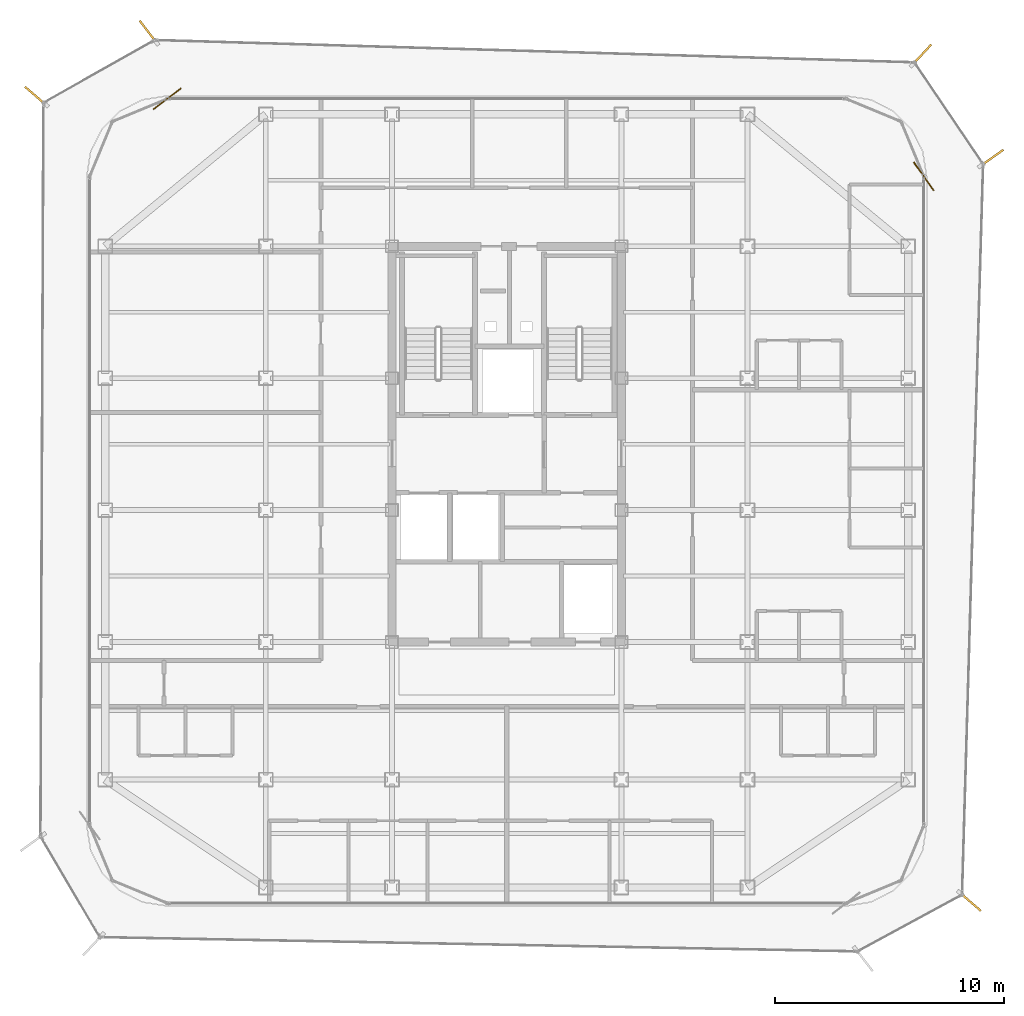
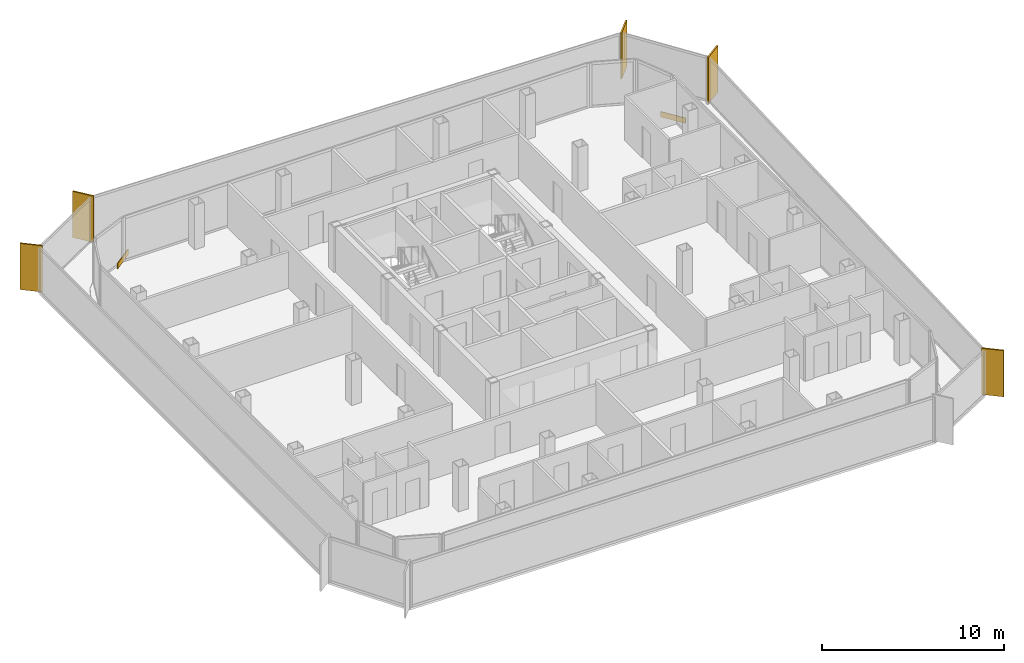
# One storey, part 15 of 15: 5 shading devices, 2 coverings.
"""IFC4 building model written with IfcOpenShell, lengths in metres."""

import ifcopenshell
import ifcopenshell.guid

model = None  # the IFC model being written
_history = None  # IfcOwnerHistory: only IFC2X3 demands one
_inside = {}  # id of a spatial element -> (the spatial element, [elements in it])
_under = {}  # id of a project, library or spatial element -> (it, [spatial elements below it])
_declared = {}  # id of a project -> (the project, [libraries it declares])
_typed = {}  # id of a type object -> (the type object, [elements of that type])
_made_of = {}  # id of a material, layer set ... -> (it, [elements and type objects made of it])


def new_model(schema):
    """Start an empty IFC model of exactly this schema.

    Asked for "IFC4X3", IfcOpenShell would pick the latest addendum, in which some entities
    have other attributes; the version numbers below select the first issue.
    IFC2X3 requires an IfcOwnerHistory on every rooted entity: one is made here for all.
    """
    global model, _history
    if schema == "IFC4X3":
        model = ifcopenshell.file(schema_version=(4, 3, 0, 0))
    else:
        model = ifcopenshell.file(schema=schema)
    _inside.clear()
    _under.clear()
    _declared.clear()
    _typed.clear()
    _made_of.clear()
    _history = None
    if model.schema == "IFC2X3":
        org = make("IfcOrganization", Name="unknown")
        user = make(
            "IfcPersonAndOrganization",
            ThePerson=make("IfcPerson", FamilyName="unknown"),
            TheOrganization=org,
        )
        app = make(
            "IfcApplication",
            ApplicationDeveloper=org,
            Version="unknown",
            ApplicationFullName="unknown",
            ApplicationIdentifier="unknown",
        )
        _history = make(
            "IfcOwnerHistory",
            OwningUser=user,
            OwningApplication=app,
            ChangeAction="ADDED",
            CreationDate=0,
        )
    return model


def make(cls, **values):
    """One entity of the class cls with the attributes given. An attribute that is None is left unset."""
    return model.create_entity(
        cls, **{name: value for name, value in values.items() if value is not None}
    )


def rooted(cls, **values):
    """An entity with a GlobalId (a new one), such as an element, a storey or a relation."""
    return make(cls, GlobalId=ifcopenshell.guid.new(), OwnerHistory=_history, **values)


def si_unit(unit_type, name, prefix=None):
    """IfcSIUnit, for example si_unit("LENGTHUNIT", "METRE", prefix="MILLI")."""
    return make("IfcSIUnit", UnitType=unit_type, Prefix=prefix, Name=name)


def assignment(units):
    """IfcUnitAssignment: the units of a project."""
    return None if units is None else make("IfcUnitAssignment", Units=units)


def point(xyz):
    """IfcCartesianPoint."""
    return None if xyz is None else make("IfcCartesianPoint", Coordinates=xyz)


def direction(xyz):
    """IfcDirection."""
    return None if xyz is None else make("IfcDirection", DirectionRatios=xyz)


def frame(location, z_axis=None, x_axis=None):
    """IfcAxis2Placement3D, a coordinate frame: its origin and axes. An axis left out is left unset."""
    return make(
        "IfcAxis2Placement3D",
        Location=point(location),
        Axis=direction(z_axis),
        RefDirection=direction(x_axis),
    )


def frame_2d(location, x_axis=None):
    """IfcAxis2Placement2D, a coordinate frame in the plane: its origin and x axis."""
    return make(
        "IfcAxis2Placement2D", Location=point(location), RefDirection=direction(x_axis)
    )


def origin():
    """The frame at (0, 0, 0) with its axes left unset."""
    return frame((0.0, 0.0, 0.0))


def origin_2d():
    """The frame at (0, 0) in the plane with its x axis left unset."""
    return frame_2d((0.0, 0.0))


def place(relative_to, where):
    """IfcLocalPlacement: puts the frame where relative to a parent placement (None: the world)."""
    return make(
        "IfcLocalPlacement", PlacementRelTo=relative_to, RelativePlacement=where
    )


def context(
    kind, dimensions, precision=None, world=None, true_north=None, identifier=None
):
    """IfcGeometricRepresentationContext, for example the 3D "Model" context."""
    return make(
        "IfcGeometricRepresentationContext",
        ContextIdentifier=identifier,
        ContextType=kind,
        CoordinateSpaceDimension=dimensions,
        Precision=precision,
        WorldCoordinateSystem=world,
        TrueNorth=true_north,
    )


def subcontext(parent, identifier, kind, view, scale=None):
    """IfcGeometricRepresentationSubContext, for example "Body" below "Model"."""
    return make(
        "IfcGeometricRepresentationSubContext",
        ContextIdentifier=identifier,
        ContextType=kind,
        ParentContext=parent,
        TargetScale=scale,
        TargetView=view,
    )


def project(units=None, contexts=None):
    """IfcProject with its units and contexts."""
    return rooted(
        "IfcProject",
        Name="project",
        RepresentationContexts=contexts,
        UnitsInContext=assignment(units),
    )


def spatial(cls, under=None, at=None, **own):
    """A site, building, storey or space (cls), placed at a placement, below another one or the project."""
    s = rooted(cls, ObjectPlacement=at, **own)
    if under is not None:
        _under.setdefault(under.id(), (under, []))[1].append(s)
    return s


def profile(cls, at=None, kind="AREA", **sizes):
    """A parametric profile (cls). Its sizes go by their IFC names, for example OverallWidth=200.0."""
    return make(cls, ProfileType=kind, Position=at, **sizes)


def rectangle(**sizes):
    """IfcRectangleProfileDef."""
    return profile("IfcRectangleProfileDef", **sizes)


def extrude(swept, where, along, depth):
    """IfcExtrudedAreaSolid: the profile swept, set in the frame where, extruded along a direction by depth."""
    return make(
        "IfcExtrudedAreaSolid",
        SweptArea=swept,
        Position=where,
        ExtrudedDirection=direction(along),
        Depth=depth,
    )


def shape(context_of_items, identifier, shape_type, items):
    """IfcShapeRepresentation: the items that make up one representation, for example the "Body"."""
    return make(
        "IfcShapeRepresentation",
        ContextOfItems=context_of_items,
        RepresentationIdentifier=identifier,
        RepresentationType=shape_type,
        Items=items,
    )


def source(mapping_origin, context_of_items, identifier, shape_type, items):
    """IfcRepresentationMap: a shape defined once, which mapped items show again and again."""
    return make(
        "IfcRepresentationMap",
        MappingOrigin=mapping_origin,
        MappedRepresentation=shape(context_of_items, identifier, shape_type, items),
    )


def transform(
    local_origin,
    x_axis=None,
    y_axis=None,
    z_axis=None,
    scale=None,
    scale2=None,
    scale3=None,
    uniform=True,
):
    """IfcCartesianTransformationOperator3D, or its non-uniform kind. x_axis, y_axis, z_axis: its Axis1, 2, 3."""
    if uniform:
        return make(
            "IfcCartesianTransformationOperator3D",
            Axis1=direction(x_axis),
            Axis2=direction(y_axis),
            LocalOrigin=point(local_origin),
            Scale=scale,
            Axis3=direction(z_axis),
        )
    return make(
        "IfcCartesianTransformationOperator3DnonUniform",
        Axis1=direction(x_axis),
        Axis2=direction(y_axis),
        LocalOrigin=point(local_origin),
        Scale=scale,
        Axis3=direction(z_axis),
        Scale2=scale2,
        Scale3=scale3,
    )


def mapped(mapping_source, mapping_target):
    """IfcMappedItem: shows the shape of a source again, moved by a transform."""
    return make(
        "IfcMappedItem", MappingSource=mapping_source, MappingTarget=mapping_target
    )


def material(Name=None, Category=None):
    """IfcMaterial."""
    return make("IfcMaterial", Name=Name, Category=Category)


def layer(
    of_material, thickness, ventilated=None, Name=None, Category=None, Priority=None
):
    """IfcMaterialLayer: one layer of a wall or slab, of a material (None: an air gap)."""
    return make(
        "IfcMaterialLayer",
        Material=of_material,
        LayerThickness=thickness,
        IsVentilated=ventilated,
        Name=Name,
        Category=Category,
        Priority=Priority,
    )


def layer_set(layers, Name=None):
    """IfcMaterialLayerSet."""
    return make("IfcMaterialLayerSet", MaterialLayers=layers, LayerSetName=Name)


def made_of(thing, what):
    """Note that an element or type object is made of a material, layer set ...; save() writes the relation."""
    if what is not None:
        _made_of.setdefault(what.id(), (what, []))[1].append(thing)
    return thing


def type_object(cls, material=None, **own):
    """A type object (cls), such as IfcWallType, which elements share."""
    return made_of(rooted(cls, **own), material)


def element(
    cls,
    number,
    at=None,
    inside=None,
    cuts=None,
    type_object=None,
    material=None,
    context=None,
    identifier="Body",
    shape_type=None,
    held_by="IfcProductDefinitionShape",
    body=None,
    shapes=None,
    **own,
):
    """One element of the class cls, such as IfcWall. Its Tag is "e" and its number.

    at: its placement. inside: the storey or other place that contains it. cuts: it is an
    opening in that element (IfcRelVoidsElement). A single representation is given by context,
    identifier, shape_type and body (its items); several are given by shapes. held_by: the class
    of the entity that holds the representations. save() writes the other relations.
    """
    e = rooted(cls, Tag="e%d" % number, ObjectPlacement=at, **own)
    if body is not None:
        shapes = [shape(context, identifier, shape_type, body)]
    if shapes is not None:
        e.Representation = make(held_by, Representations=shapes)
    if inside is not None:
        _inside.setdefault(inside.id(), (inside, []))[1].append(e)
    if cuts is not None:
        rooted(
            "IfcRelVoidsElement", RelatingBuildingElement=cuts, RelatedOpeningElement=e
        )
    if type_object is not None:
        _typed.setdefault(type_object.id(), (type_object, []))[1].append(e)
    return made_of(e, material)


def aggregate(whole, parts):
    """IfcRelAggregates: a whole, such as a stair, and the parts it consists of."""
    return rooted("IfcRelAggregates", RelatingObject=whole, RelatedObjects=parts)


def save(model, path):
    """Write the relations noted so far, then the file.

    IfcRelAggregates (storeys below a building ...), IfcRelContainedInSpatialStructure (elements
    in a storey), IfcRelDefinesByType, IfcRelAssociatesMaterial and IfcRelDeclares: one each for
    every whole, place, type object, material and project.
    """
    for whole, parts in _under.values():
        aggregate(whole, parts)
    for where, things in _inside.values():
        rooted(
            "IfcRelContainedInSpatialStructure",
            RelatedElements=things,
            RelatingStructure=where,
        )
    for kind, things in _typed.values():
        rooted("IfcRelDefinesByType", RelatedObjects=things, RelatingType=kind)
    for what, things in _made_of.values():
        rooted("IfcRelAssociatesMaterial", RelatedObjects=things, RelatingMaterial=what)
    for by, libraries in _declared.values():
        rooted("IfcRelDeclares", RelatingContext=by, RelatedDefinitions=libraries)
    model.write(path)


model = new_model("IFC4")

# Units and contexts
model_context = context("Model", 3, precision=1e-05, world=origin(), true_north=direction((0.0, 1.0)))
body_context = subcontext(model_context, "Body", "Model", "MODEL_VIEW")
ifc_project = project(units=[si_unit("LENGTHUNIT", "METRE"), si_unit("AREAUNIT", "SQUARE_METRE"), si_unit("VOLUMEUNIT", "CUBIC_METRE"), si_unit("PLANEANGLEUNIT", "RADIAN"), si_unit("MASSUNIT", "GRAM", prefix="KILO")], contexts=[model_context])

# Site, building, storey
site_placement = place(None, origin())
site = spatial("IfcSite", under=ifc_project, at=site_placement, CompositionType="ELEMENT")
building_placement = place(site_placement, origin())
building = spatial("IfcBuilding", under=site, at=building_placement, Name="Kolveth Station Tower", CompositionType="ELEMENT")
storey_placement = place(building_placement, frame((0.0, 0.0, 242.5)))
storey = spatial("IfcBuildingStorey", under=building, at=storey_placement, Name="L69", CompositionType="ELEMENT", Elevation=242.5)

# Shading devices
ifc_material_1 = material(Name="Black anodized aluminium 6063-T6", Category="aluminium")
shading_device_type = type_object("IfcShadingDeviceType", Name="FIN_VF1", PredefinedType="USERDEFINED", material=ifc_material_1)
shared_shape_1 = source(origin(), body_context, "Body", "SweptSolid", [
    extrude(rectangle(XDim=1.25, YDim=0.090087890625, at=origin_2d()), origin(), (0.0, 0.0, 1.0), 3.10009765625),
])
for number, where, z_axis, x_axis, name in (
    (1, (43.698974609375, 0.18798828125, 0.0), (0.0, 0.0, 1.0), (0.756538697576, -0.653948926958, 0.0), "L69 Dark-Aluminium Solar Fin 2"),
    (2, (44.64306640625, 32.596923828125, 0.0), (0.0, 0.0, 1.0), (0.816540811886, 0.577287712086, 0.0), "L69 Dark-Aluminium Solar Fin 3"),
    (3, (41.587890625, 37.092041015625, 0.0), (0.0, 0.0, 1.0), (0.681104334195, 0.732186373775, 0.0), "L69 Dark-Aluminium Solar Fin 4"),
    (4, (7.8798828125, 38.091064453125, 0.0), (0.0, 0.0, 1.0), (-0.60709849971, 0.794626586297, 0.0), "L69 Dark-Aluminium Solar Fin 5"),
    (5, (2.971923828125, 35.300048828125, 0.0), (0.0, 0.0, 1.0), (-0.758248137292, 0.651966074496, 0.0), "L69 Dark-Aluminium Solar Fin 6"),
):
    element("IfcShadingDevice", number, at=place(storey_placement, frame(where, z_axis=z_axis, x_axis=x_axis)), inside=storey, type_object=shading_device_type, Name=name, ObjectType="FIN", PredefinedType="USERDEFINED", context=body_context, shape_type="MappedRepresentation", body=[
        mapped(shared_shape_1, transform((0.0, 0.0, 0.0), x_axis=(1.0, 0.0, 0.0), y_axis=(0.0, 1.0, 0.0), z_axis=(0.0, 0.0, 1.0), scale=1.0)),
    ])

# Coverings
ifc_material_2 = material(Name="Charcoal anodized aluminium spandrel cladding", Category="aluminium")
ifc_layer = layer(ifc_material_2, 0.044921875)
ifc_layer_set = layer_set([ifc_layer], Name="Charcoal anodized aluminium spandrel cladding")
covering_type = type_object("IfcCoveringType", Name="Clad_CD1", PredefinedType="CLADDING", material=ifc_layer_set)
shared_shape_2 = source(origin(), body_context, "Body", "SweptSolid", [
    extrude(rectangle(XDim=1.5, YDim=0.044921875, at=origin_2d()), origin(), (0.0, 0.0, 1.0), 0.360107421875),
])
for number, where, z_axis, x_axis, name in (
    (6, (41.679931640625, 31.800048828125, 0.0), (0.0, 0.0, 1.0), (-0.577287712086, 0.816540811886, 0.0), "L69 Spandrel Edge Cladding 3"),
    (7, (8.699951171875, 35.179931640625, 0.0), (0.0, 0.0, 1.0), (-0.794626586297, -0.60709849971, 0.0), "L69 Spandrel Edge Cladding 5"),
):
    element("IfcCovering", number, at=place(storey_placement, frame(where, z_axis=z_axis, x_axis=x_axis)), inside=storey, type_object=covering_type, Name=name, PredefinedType="CLADDING", context=body_context, shape_type="MappedRepresentation", body=[
        mapped(shared_shape_2, transform((0.0, 0.0, 0.0), x_axis=(1.0, 0.0, 0.0), y_axis=(0.0, 1.0, 0.0), z_axis=(0.0, 0.0, 1.0), scale=1.0)),
    ])

save(model, "model.ifc")
